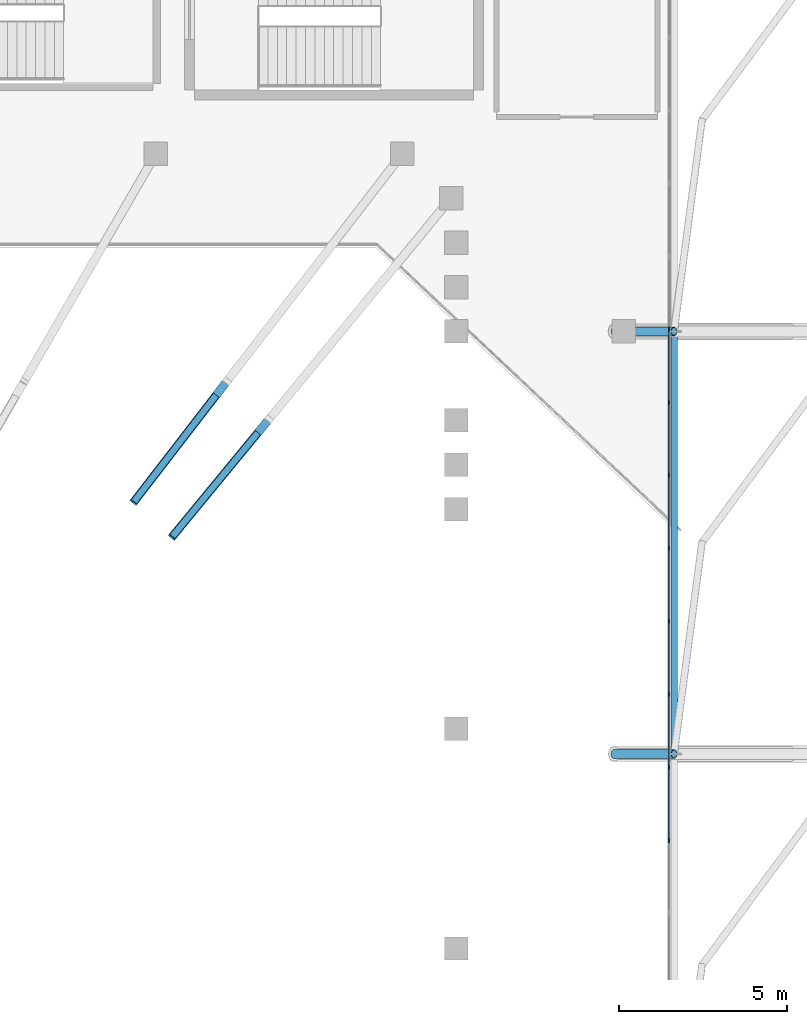
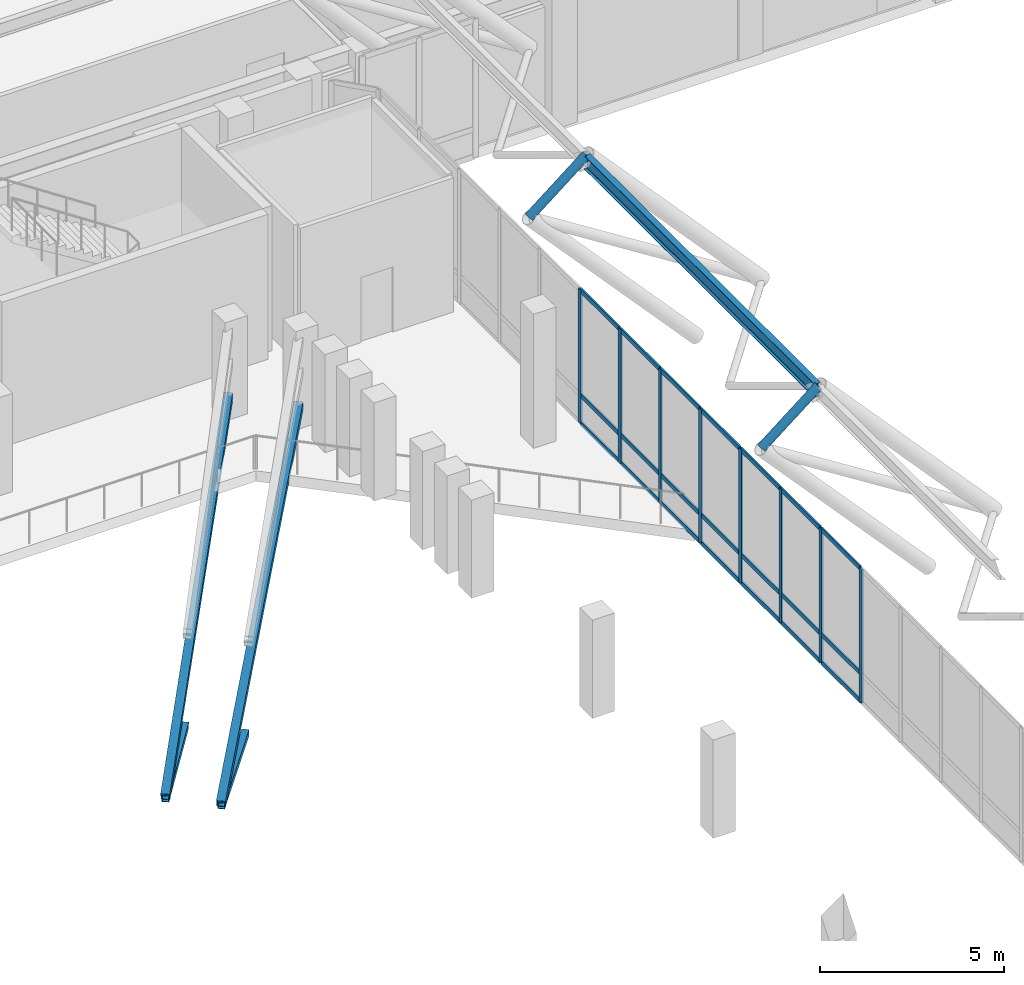
# One storey, part 28 of 79: 36 members, 1 element without a shape of its own.
"""IFC4 building model written with IfcOpenShell, lengths in metres."""

from ifc_helpers import new_model, si_unit, derived_unit, direction, frame, origin, origin_2d, place, context, subcontext, project, spatial, rectangle, hollow_rectangle, hollow_circle, i_section, extrude, material, layer, layer_set, material_profile, profile_set, type_object, element, aggregate, save


model = new_model("IFC4")

# Units and contexts
model_context = context("Model", 3, precision=1e-05, world=origin(), true_north=direction((0.0, 1.0)))
body_context = subcontext(model_context, "Body", "Model", "MODEL_VIEW")
ifc_project = project(units=[si_unit("LENGTHUNIT", "METRE"), si_unit("AREAUNIT", "SQUARE_METRE"), si_unit("VOLUMEUNIT", "CUBIC_METRE"), si_unit("PLANEANGLEUNIT", "RADIAN"), si_unit("MASSUNIT", "GRAM", prefix="KILO"), derived_unit("THERMALTRANSMITTANCEUNIT", [(si_unit("MASSUNIT", "GRAM", prefix="KILO"), 1), (si_unit("TIMEUNIT", "SECOND"), -3), (si_unit("THERMODYNAMICTEMPERATUREUNIT", "KELVIN"), -1)])], contexts=[model_context])

# Site, building, storey
site_placement = place(None, origin())
site = spatial("IfcSite", under=ifc_project, at=site_placement, CompositionType="ELEMENT")
building_placement = place(site_placement, origin())
building = spatial("IfcBuilding", under=site, at=building_placement, Name="Valcora Ridge Arena", CompositionType="ELEMENT")
storey_placement = place(building_placement, frame((0.0, 0.0, 16.199951171875)))
storey = spatial("IfcBuildingStorey", under=building, at=storey_placement, Name="L03", CompositionType="ELEMENT", Elevation=16.199951171875)

# Curtain wall, members
ifc_material_1 = material(Name="Anodised dark bronze architectural aluminium 6063-T6", Category="aluminium")
ifc_layer = layer(ifc_material_1, 0.14990234375, Name="Anodised dark bronze architectural aluminium 6063-T6")
ifc_layer_set = layer_set([ifc_layer], Name="Anodised dark bronze architectural aluminium 6063-T6")
curtain_wall_type = type_object("IfcCurtainWallType", Name="TY-CURTAINWALL-CW-V1-EAST-849X44", PredefinedType="NOTDEFINED", material=ifc_layer_set)
curtain_wall_placement = place(storey_placement, origin())
curtain_wall = element("IfcCurtainWall", 1, at=curtain_wall_placement, inside=storey, type_object=curtain_wall_type, Name="CW-V1-EAST-849X44 CW-0147", PredefinedType="NOTDEFINED")
ifc_material_profile_1 = material_profile(ifc_material_1, rectangle(XDim=0.050048828125, YDim=0.14990234375, at=origin_2d()), Name="ALU MULLION 50x150")
ifc_profile_set_1 = profile_set([ifc_material_profile_1], Name="Anodised dark bronze architectural aluminium 6063-T6")
member_type_1 = type_object("IfcMemberType", Name="TY-MEM-CWM-50x150", PredefinedType="MULLION", material=ifc_profile_set_1)
member_1_placement = place(storey_placement, frame((95.35009765625, 80.425537109375, 0.0), z_axis=(0.0, 0.0, 1.0), x_axis=(-1.0, 0.0, 0.0)))
member_1 = element("IfcMember", 2, at=member_1_placement, type_object=member_type_1, Name="CW-0147/CWM-50x150/M27", PredefinedType="MULLION", context=body_context, shape_type="SweptSolid", body=[
    extrude(rectangle(XDim=0.050048828125, YDim=0.14990234375, at=origin_2d()), origin(), (0.0, 0.0, 1.0), 4.43994140625),
])
member_2_placement = place(storey_placement, frame((95.35009765625, 82.602294921875, 0.0), z_axis=(0.0, 0.0, 1.0), x_axis=(-1.0, 0.0, 0.0)))
member_2 = element("IfcMember", 3, at=member_2_placement, type_object=member_type_1, Name="CW-0147/CWM-50x150/M28", PredefinedType="MULLION", context=body_context, shape_type="SweptSolid", body=[
    extrude(rectangle(XDim=0.050048828125, YDim=0.14990234375, at=origin_2d()), origin(), (0.0, 0.0, 1.0), 4.43994140625),
])
member_3_placement = place(storey_placement, frame((95.35009765625, 84.77880859375, 0.0), z_axis=(0.0, 0.0, 1.0), x_axis=(-1.0, 0.0, 0.0)))
member_3 = element("IfcMember", 4, at=member_3_placement, type_object=member_type_1, Name="CW-0147/CWM-50x150/M29", PredefinedType="MULLION", context=body_context, shape_type="SweptSolid", body=[
    extrude(rectangle(XDim=0.050048828125, YDim=0.14990234375, at=origin_2d()), origin(), (0.0, 0.0, 1.0), 4.43994140625),
])
member_4_placement = place(storey_placement, frame((95.35009765625, 86.95556640625, 0.0), z_axis=(0.0, 0.0, 1.0), x_axis=(-1.0, 0.0, 0.0)))
member_4 = element("IfcMember", 5, at=member_4_placement, type_object=member_type_1, Name="CW-0147/CWM-50x150/M30", PredefinedType="MULLION", context=body_context, shape_type="SweptSolid", body=[
    extrude(rectangle(XDim=0.050048828125, YDim=0.14990234375, at=origin_2d()), origin(), (0.0, 0.0, 1.0), 4.43994140625),
])
member_5_placement = place(storey_placement, frame((95.35009765625, 89.13232421875, 0.0), z_axis=(0.0, 0.0, 1.0), x_axis=(-1.0, 0.0, 0.0)))
member_5 = element("IfcMember", 6, at=member_5_placement, type_object=member_type_1, Name="CW-0147/CWM-50x150/M31", PredefinedType="MULLION", context=body_context, shape_type="SweptSolid", body=[
    extrude(rectangle(XDim=0.050048828125, YDim=0.14990234375, at=origin_2d()), origin(), (0.0, 0.0, 1.0), 4.43994140625),
])
member_6_placement = place(storey_placement, frame((95.35009765625, 91.30908203125, 0.0), z_axis=(0.0, 0.0, 1.0), x_axis=(-1.0, 0.0, 0.0)))
member_6 = element("IfcMember", 7, at=member_6_placement, type_object=member_type_1, Name="CW-0147/CWM-50x150/M32", PredefinedType="MULLION", context=body_context, shape_type="SweptSolid", body=[
    extrude(rectangle(XDim=0.050048828125, YDim=0.14990234375, at=origin_2d()), origin(), (0.0, 0.0, 1.0), 4.43994140625),
])
member_7_placement = place(storey_placement, frame((95.35009765625, 93.48583984375, 0.0), z_axis=(0.0, 0.0, 1.0), x_axis=(-1.0, 0.0, 0.0)))
member_7 = element("IfcMember", 8, at=member_7_placement, type_object=member_type_1, Name="CW-0147/CWM-50x150/M33", PredefinedType="MULLION", context=body_context, shape_type="SweptSolid", body=[
    extrude(rectangle(XDim=0.050048828125, YDim=0.14990234375, at=origin_2d()), origin(), (0.0, 0.0, 1.0), 4.43994140625),
])
member_8_placement = place(storey_placement, frame((95.35009765625, 95.66259765625, 0.0), z_axis=(0.0, 0.0, 1.0), x_axis=(-1.0, 0.0, 0.0)))
member_8 = element("IfcMember", 9, at=member_8_placement, type_object=member_type_1, Name="CW-0147/CWM-50x150/M34", PredefinedType="MULLION", context=body_context, shape_type="SweptSolid", body=[
    extrude(rectangle(XDim=0.050048828125, YDim=0.14990234375, at=origin_2d()), origin(), (0.0, 0.0, 1.0), 4.43994140625),
])
ifc_material_profile_2 = material_profile(ifc_material_1, rectangle(XDim=0.050048828125, YDim=0.14990234375, at=origin_2d()), Name="ALU TRANSOM 50x150")
ifc_profile_set_2 = profile_set([ifc_material_profile_2], Name="Anodised dark bronze architectural aluminium 6063-T6")
member_type_2 = type_object("IfcMemberType", Name="TY-MEM-CWT-50x150", PredefinedType="USERDEFINED", material=ifc_profile_set_2)
member_9_placement = place(storey_placement, frame((95.35009765625, 80.45068359375, 0.025146484375), z_axis=(0.0, 1.0, 0.0), x_axis=(-1.0, 0.0, 0.0)))
member_9 = element("IfcMember", 10, at=member_9_placement, type_object=member_type_2, Name="CW-0147/CWT-50x150/T27-00", ObjectType="TRANSOM", PredefinedType="USERDEFINED", context=body_context, shape_type="SweptSolid", body=[
    extrude(rectangle(XDim=0.050048828125, YDim=0.14990234375, at=origin_2d()), origin(), (0.0, 0.0, 1.0), 2.126220703125),
])
member_10_placement = place(storey_placement, frame((95.35009765625, 80.45068359375, 0.949951171875), z_axis=(0.0, 1.0, 0.0), x_axis=(-1.0, 0.0, 0.0)))
member_10 = element("IfcMember", 11, at=member_10_placement, type_object=member_type_2, Name="CW-0147/CWT-50x150/T27-01", ObjectType="TRANSOM", PredefinedType="USERDEFINED", context=body_context, shape_type="SweptSolid", body=[
    extrude(rectangle(XDim=0.050048828125, YDim=0.14990234375, at=origin_2d()), origin(), (0.0, 0.0, 1.0), 2.126220703125),
])
member_11_placement = place(storey_placement, frame((95.35009765625, 80.45068359375, 4.4150390625), z_axis=(0.0, 1.0, 0.0), x_axis=(-1.0, 0.0, 0.0)))
member_11 = element("IfcMember", 12, at=member_11_placement, type_object=member_type_2, Name="CW-0147/CWT-50x150/T27-02", ObjectType="TRANSOM", PredefinedType="USERDEFINED", context=body_context, shape_type="SweptSolid", body=[
    extrude(rectangle(XDim=0.050048828125, YDim=0.14990234375, at=origin_2d()), origin(), (0.0, 0.0, 1.0), 2.126220703125),
])
member_12_placement = place(storey_placement, frame((95.35009765625, 82.626708984375, 0.025146484375), z_axis=(0.0, 1.0, 0.0), x_axis=(-1.0, 0.0, 0.0)))
member_12 = element("IfcMember", 13, at=member_12_placement, type_object=member_type_2, Name="CW-0147/CWT-50x150/T28-00", ObjectType="TRANSOM", PredefinedType="USERDEFINED", context=body_context, shape_type="SweptSolid", body=[
    extrude(rectangle(XDim=0.050048828125, YDim=0.14990234375, at=origin_2d()), origin(), (0.0, 0.0, 1.0), 2.127197265625),
])
member_13_placement = place(storey_placement, frame((95.35009765625, 82.626708984375, 0.949951171875), z_axis=(0.0, 1.0, 0.0), x_axis=(-1.0, 0.0, 0.0)))
member_13 = element("IfcMember", 14, at=member_13_placement, type_object=member_type_2, Name="CW-0147/CWT-50x150/T28-01", ObjectType="TRANSOM", PredefinedType="USERDEFINED", context=body_context, shape_type="SweptSolid", body=[
    extrude(rectangle(XDim=0.050048828125, YDim=0.14990234375, at=origin_2d()), origin(), (0.0, 0.0, 1.0), 2.127197265625),
])
member_14_placement = place(storey_placement, frame((95.35009765625, 82.626708984375, 4.4150390625), z_axis=(0.0, 1.0, 0.0), x_axis=(-1.0, 0.0, 0.0)))
member_14 = element("IfcMember", 15, at=member_14_placement, type_object=member_type_2, Name="CW-0147/CWT-50x150/T28-02", ObjectType="TRANSOM", PredefinedType="USERDEFINED", context=body_context, shape_type="SweptSolid", body=[
    extrude(rectangle(XDim=0.050048828125, YDim=0.14990234375, at=origin_2d()), origin(), (0.0, 0.0, 1.0), 2.127197265625),
])
member_15_placement = place(storey_placement, frame((95.35009765625, 84.8037109375, 0.025146484375), z_axis=(0.0, 1.0, 0.0), x_axis=(-1.0, 0.0, 0.0)))
member_15 = element("IfcMember", 16, at=member_15_placement, type_object=member_type_2, Name="CW-0147/CWT-50x150/T29-00", ObjectType="TRANSOM", PredefinedType="USERDEFINED", context=body_context, shape_type="SweptSolid", body=[
    extrude(rectangle(XDim=0.050048828125, YDim=0.14990234375, at=origin_2d()), origin(), (0.0, 0.0, 1.0), 2.127197265625),
])
member_16_placement = place(storey_placement, frame((95.35009765625, 84.8037109375, 0.949951171875), z_axis=(0.0, 1.0, 0.0), x_axis=(-1.0, 0.0, 0.0)))
member_16 = element("IfcMember", 17, at=member_16_placement, type_object=member_type_2, Name="CW-0147/CWT-50x150/T29-01", ObjectType="TRANSOM", PredefinedType="USERDEFINED", context=body_context, shape_type="SweptSolid", body=[
    extrude(rectangle(XDim=0.050048828125, YDim=0.14990234375, at=origin_2d()), origin(), (0.0, 0.0, 1.0), 2.127197265625),
])
member_17_placement = place(storey_placement, frame((95.35009765625, 84.8037109375, 4.4150390625), z_axis=(0.0, 1.0, 0.0), x_axis=(-1.0, 0.0, 0.0)))
member_17 = element("IfcMember", 18, at=member_17_placement, type_object=member_type_2, Name="CW-0147/CWT-50x150/T29-02", ObjectType="TRANSOM", PredefinedType="USERDEFINED", context=body_context, shape_type="SweptSolid", body=[
    extrude(rectangle(XDim=0.050048828125, YDim=0.14990234375, at=origin_2d()), origin(), (0.0, 0.0, 1.0), 2.127197265625),
])
member_18_placement = place(storey_placement, frame((95.35009765625, 86.980712890625, 0.025146484375), z_axis=(0.0, 1.0, 0.0), x_axis=(-1.0, 0.0, 0.0)))
member_18 = element("IfcMember", 19, at=member_18_placement, type_object=member_type_2, Name="CW-0147/CWT-50x150/T30-00", ObjectType="TRANSOM", PredefinedType="USERDEFINED", context=body_context, shape_type="SweptSolid", body=[
    extrude(rectangle(XDim=0.050048828125, YDim=0.14990234375, at=origin_2d()), origin(), (0.0, 0.0, 1.0), 2.127197265625),
])
member_19_placement = place(storey_placement, frame((95.35009765625, 86.980712890625, 0.949951171875), z_axis=(0.0, 1.0, 0.0), x_axis=(-1.0, 0.0, 0.0)))
member_19 = element("IfcMember", 20, at=member_19_placement, type_object=member_type_2, Name="CW-0147/CWT-50x150/T30-01", ObjectType="TRANSOM", PredefinedType="USERDEFINED", context=body_context, shape_type="SweptSolid", body=[
    extrude(rectangle(XDim=0.050048828125, YDim=0.14990234375, at=origin_2d()), origin(), (0.0, 0.0, 1.0), 2.127197265625),
])
member_20_placement = place(storey_placement, frame((95.35009765625, 86.980712890625, 4.4150390625), z_axis=(0.0, 1.0, 0.0), x_axis=(-1.0, 0.0, 0.0)))
member_20 = element("IfcMember", 21, at=member_20_placement, type_object=member_type_2, Name="CW-0147/CWT-50x150/T30-02", ObjectType="TRANSOM", PredefinedType="USERDEFINED", context=body_context, shape_type="SweptSolid", body=[
    extrude(rectangle(XDim=0.050048828125, YDim=0.14990234375, at=origin_2d()), origin(), (0.0, 0.0, 1.0), 2.127197265625),
])
member_21_placement = place(storey_placement, frame((95.35009765625, 89.15771484375, 0.025146484375), z_axis=(0.0, 1.0, 0.0), x_axis=(-1.0, 0.0, 0.0)))
member_21 = element("IfcMember", 22, at=member_21_placement, type_object=member_type_2, Name="CW-0147/CWT-50x150/T31-00", ObjectType="TRANSOM", PredefinedType="USERDEFINED", context=body_context, shape_type="SweptSolid", body=[
    extrude(rectangle(XDim=0.050048828125, YDim=0.14990234375, at=origin_2d()), origin(), (0.0, 0.0, 1.0), 2.1259765625),
])
member_22_placement = place(storey_placement, frame((95.35009765625, 89.15771484375, 0.949951171875), z_axis=(0.0, 1.0, 0.0), x_axis=(-1.0, 0.0, 0.0)))
member_22 = element("IfcMember", 23, at=member_22_placement, type_object=member_type_2, Name="CW-0147/CWT-50x150/T31-01", ObjectType="TRANSOM", PredefinedType="USERDEFINED", context=body_context, shape_type="SweptSolid", body=[
    extrude(rectangle(XDim=0.050048828125, YDim=0.14990234375, at=origin_2d()), origin(), (0.0, 0.0, 1.0), 2.1259765625),
])
member_23_placement = place(storey_placement, frame((95.35009765625, 89.15771484375, 4.4150390625), z_axis=(0.0, 1.0, 0.0), x_axis=(-1.0, 0.0, 0.0)))
member_23 = element("IfcMember", 24, at=member_23_placement, type_object=member_type_2, Name="CW-0147/CWT-50x150/T31-02", ObjectType="TRANSOM", PredefinedType="USERDEFINED", context=body_context, shape_type="SweptSolid", body=[
    extrude(rectangle(XDim=0.050048828125, YDim=0.14990234375, at=origin_2d()), origin(), (0.0, 0.0, 1.0), 2.1259765625),
])
member_24_placement = place(storey_placement, frame((95.35009765625, 91.333740234375, 0.025146484375), z_axis=(0.0, 1.0, 0.0), x_axis=(-1.0, 0.0, 0.0)))
member_24 = element("IfcMember", 25, at=member_24_placement, type_object=member_type_2, Name="CW-0147/CWT-50x150/T32-00", ObjectType="TRANSOM", PredefinedType="USERDEFINED", context=body_context, shape_type="SweptSolid", body=[
    extrude(rectangle(XDim=0.050048828125, YDim=0.14990234375, at=origin_2d()), origin(), (0.0, 0.0, 1.0), 2.126953125),
])
member_25_placement = place(storey_placement, frame((95.35009765625, 91.333740234375, 0.949951171875), z_axis=(0.0, 1.0, 0.0), x_axis=(-1.0, 0.0, 0.0)))
member_25 = element("IfcMember", 26, at=member_25_placement, type_object=member_type_2, Name="CW-0147/CWT-50x150/T32-01", ObjectType="TRANSOM", PredefinedType="USERDEFINED", context=body_context, shape_type="SweptSolid", body=[
    extrude(rectangle(XDim=0.050048828125, YDim=0.14990234375, at=origin_2d()), origin(), (0.0, 0.0, 1.0), 2.126953125),
])
member_26_placement = place(storey_placement, frame((95.35009765625, 91.333740234375, 4.4150390625), z_axis=(0.0, 1.0, 0.0), x_axis=(-1.0, 0.0, 0.0)))
member_26 = element("IfcMember", 27, at=member_26_placement, type_object=member_type_2, Name="CW-0147/CWT-50x150/T32-02", ObjectType="TRANSOM", PredefinedType="USERDEFINED", context=body_context, shape_type="SweptSolid", body=[
    extrude(rectangle(XDim=0.050048828125, YDim=0.14990234375, at=origin_2d()), origin(), (0.0, 0.0, 1.0), 2.126953125),
])
member_27_placement = place(storey_placement, frame((95.35009765625, 93.5107421875, 0.025146484375), z_axis=(0.0, 1.0, 0.0), x_axis=(-1.0, 0.0, 0.0)))
member_27 = element("IfcMember", 28, at=member_27_placement, type_object=member_type_2, Name="CW-0147/CWT-50x150/T33-00", ObjectType="TRANSOM", PredefinedType="USERDEFINED", context=body_context, shape_type="SweptSolid", body=[
    extrude(rectangle(XDim=0.050048828125, YDim=0.14990234375, at=origin_2d()), origin(), (0.0, 0.0, 1.0), 2.126953125),
])
member_28_placement = place(storey_placement, frame((95.35009765625, 93.5107421875, 0.949951171875), z_axis=(0.0, 1.0, 0.0), x_axis=(-1.0, 0.0, 0.0)))
member_28 = element("IfcMember", 29, at=member_28_placement, type_object=member_type_2, Name="CW-0147/CWT-50x150/T33-01", ObjectType="TRANSOM", PredefinedType="USERDEFINED", context=body_context, shape_type="SweptSolid", body=[
    extrude(rectangle(XDim=0.050048828125, YDim=0.14990234375, at=origin_2d()), origin(), (0.0, 0.0, 1.0), 2.126953125),
])
member_29_placement = place(storey_placement, frame((95.35009765625, 93.5107421875, 4.4150390625), z_axis=(0.0, 1.0, 0.0), x_axis=(-1.0, 0.0, 0.0)))
member_29 = element("IfcMember", 30, at=member_29_placement, type_object=member_type_2, Name="CW-0147/CWT-50x150/T33-02", ObjectType="TRANSOM", PredefinedType="USERDEFINED", context=body_context, shape_type="SweptSolid", body=[
    extrude(rectangle(XDim=0.050048828125, YDim=0.14990234375, at=origin_2d()), origin(), (0.0, 0.0, 1.0), 2.126953125),
])
aggregate(curtain_wall, [member_1, member_2, member_3, member_4, member_5, member_6, member_7, member_8, member_9, member_10, member_11, member_12, member_13, member_14, member_15, member_16, member_17, member_18, member_19, member_20, member_21, member_22, member_23, member_24, member_25, member_26, member_27, member_28, member_29])

# Members
ifc_material_2 = material(Name="Steel ASTM A572 Grade 50", Category="steel")
ifc_material_profile_3 = material_profile(ifc_material_2, i_section(OverallWidth=0.18994140625, OverallDepth=0.45703125, WebThickness=0.009033203125, FlangeThickness=0.014404296875, FilletRadius=0.014892578125, at=origin_2d()), Name="W18X50")
ifc_profile_set_3 = profile_set([ifc_material_profile_3], Name="Steel ASTM A572 Grade 50")
member_type_3 = type_object("IfcMemberType", Name="TY-MEMBER-PUR-W18X50", PredefinedType="PURLIN", material=ifc_profile_set_3)
member_30_placement = place(storey_placement, frame((95.5, 83.050048828125, 8.67724609375), z_axis=(0.0, 1.0, 0.0), x_axis=(-1.0, 0.0, 0.0)))
element("IfcMember", 31, at=member_30_placement, inside=storey, type_object=member_type_3, Name="PUR-W18X50 SF-PR-PUR-W18X50-0072", PredefinedType="PURLIN", context=body_context, shape_type="SweptSolid", body=[
    extrude(i_section(OverallWidth=0.18994140625, OverallDepth=0.45703125, WebThickness=0.009033203125, FlangeThickness=0.014404296875, FilletRadius=0.014892578125, at=origin_2d()), origin(), (0.0, 0.0, 1.0), 12.5),
])
ifc_material_3 = material(Name="Steel ASTM A500 Grade C", Category="steel")
ifc_material_profile_4 = material_profile(ifc_material_3, hollow_rectangle(XDim=0.25, YDim=0.25, WallThickness=0.012451171875, at=origin_2d()), Name="HSS250X250X12")
ifc_profile_set_4 = profile_set([ifc_material_profile_4], Name="Steel ASTM A500 Grade C")
member_type_4 = type_object("IfcMemberType", Name="TY-MEMBER-RKRUC-250", PredefinedType="CHORD", material=ifc_profile_set_4)
member_31_placement = place(storey_placement, frame((80.529296875, 89.471435546875, -3.661865234375), z_axis=(0.601706857874, 0.730640180269, 0.322666676562), x_axis=(-0.771928586933, 0.635709254829, 0.0)))
element("IfcMember", 32, at=member_31_placement, inside=storey, type_object=member_type_4, Name="RKRUC-250 MBR-RK-RKRUC-250-0011", PredefinedType="CHORD", context=body_context, shape_type="SweptSolid", body=[
    extrude(hollow_rectangle(XDim=0.25, YDim=0.25, WallThickness=0.012451171875, at=origin_2d()), origin(), (0.0, 0.0, 1.0), 13.54833984375),
])
member_32_placement = place(storey_placement, frame((79.385986328125, 90.511474609375, -3.661865234375), z_axis=(0.578273896138, 0.749623632789, 0.321968492573), x_axis=(-0.791785929407, 0.610798691873, 0.0)))
element("IfcMember", 33, at=member_32_placement, inside=storey, type_object=member_type_4, Name="RKRUC-250 MBR-RK-RKRUC-250-0012", PredefinedType="CHORD", context=body_context, shape_type="SweptSolid", body=[
    extrude(hollow_rectangle(XDim=0.25, YDim=0.25, WallThickness=0.012451171875, at=origin_2d()), origin(), (0.0, 0.0, 1.0), 13.578369140625),
])
ifc_material_profile_5 = material_profile(ifc_material_3, hollow_rectangle(XDim=0.199951171875, YDim=0.199951171875, WallThickness=0.012451171875, at=origin_2d()), Name="HSS200X200X12")
ifc_profile_set_5 = profile_set([ifc_material_profile_5], Name="Steel ASTM A500 Grade C")
member_type_5 = type_object("IfcMemberType", Name="TY-MEMBER-RKRUW-200", PredefinedType="STRUT", material=ifc_profile_set_5)
member_33_placement = place(storey_placement, frame((80.53515625, 89.478271484375, -3.7353515625), z_axis=(0.633379030858, 0.76915075418, -0.085077145074), x_axis=(-0.771949559912, 0.635683786919, 0.0)))
element("IfcMember", 34, at=member_33_placement, inside=storey, type_object=member_type_5, Name="RKRUW-200 Raker Web Strut", PredefinedType="STRUT", context=body_context, shape_type="SweptSolid", body=[
    extrude(hollow_rectangle(XDim=0.199951171875, YDim=0.199951171875, WallThickness=0.012451171875, at=origin_2d()), origin(), (0.0, 0.0, 1.0), 4.026123046875),
])
member_34_placement = place(storey_placement, frame((79.391357421875, 90.5185546875, -3.7353515625), z_axis=(0.608616217941, 0.788890803568, -0.085074081276), x_axis=(-0.791761232024, 0.610830706059, 0.0)))
element("IfcMember", 35, at=member_34_placement, inside=storey, type_object=member_type_5, Name="RKRUW-200 Raker Web Strut", PredefinedType="STRUT", context=body_context, shape_type="SweptSolid", body=[
    extrude(hollow_rectangle(XDim=0.199951171875, YDim=0.199951171875, WallThickness=0.012451171875, at=origin_2d()), origin(), (0.0, 0.0, 1.0), 4.0263671875),
])
ifc_material_profile_6 = material_profile(ifc_material_3, hollow_circle(Radius=0.136474609375, WallThickness=0.012451171875, at=origin_2d()), Name="CHS273X12")
ifc_profile_set_6 = profile_set([ifc_material_profile_6], Name="Steel ASTM A500 Grade C")
member_type_6 = type_object("IfcMemberType", Name="TY-MEMBER-SFKP-273", PredefinedType="POST", material=ifc_profile_set_6)
for number, where, z_axis, x_axis, name in (
    (36, (93.705322265625, 83.0, 7.423095703125), (0.78184324525, 0.0, 0.623475051511), (0.0, 1.0, 0.0), "SFKP-273 Space Frame King Post"),
    (37, (93.705322265625, 95.60009765625, 7.423095703125), (0.78184324525, 0.0, 0.623475051511), (0.0, 1.0, 0.0), "SFKP-273 Space Frame King Post"),
):
    element("IfcMember", number, at=place(storey_placement, frame(where, z_axis=z_axis, x_axis=x_axis)), inside=storey, type_object=member_type_6, Name=name, PredefinedType="POST", context=body_context, shape_type="SweptSolid", body=[
        extrude(hollow_circle(Radius=0.136474609375, WallThickness=0.012451171875, at=origin_2d()), origin(), (0.0, 0.0, 1.0), 2.29541015625),
    ])

save(model, "model.ifc")
